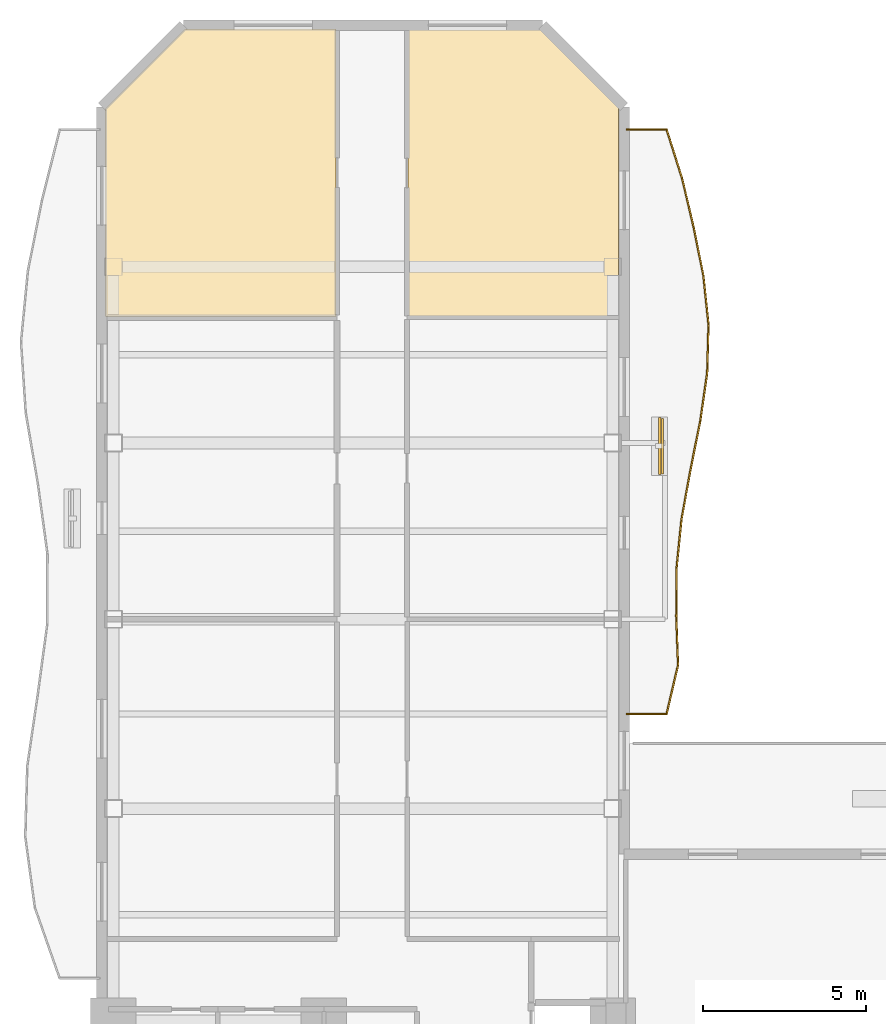
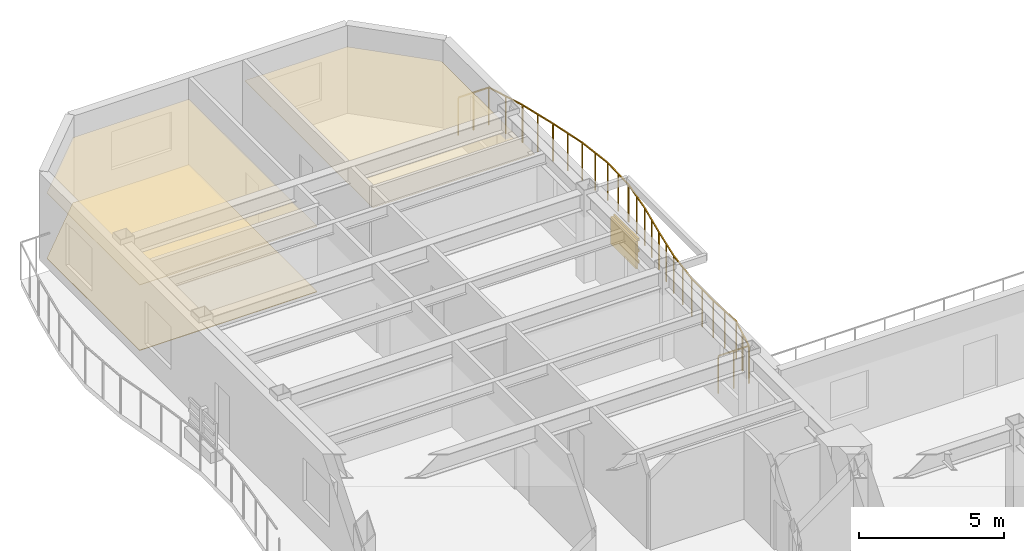
# One storey, part 10 of 10: 4 shading devices, 3 coverings, 1 railing.
"""IFC4 building model written with IfcOpenShell, lengths in metres."""

import ifcopenshell
import ifcopenshell.guid

model = None  # the IFC model being written
_history = None  # IfcOwnerHistory: only IFC2X3 demands one
_inside = {}  # id of a spatial element -> (the spatial element, [elements in it])
_under = {}  # id of a project, library or spatial element -> (it, [spatial elements below it])
_declared = {}  # id of a project -> (the project, [libraries it declares])
_typed = {}  # id of a type object -> (the type object, [elements of that type])
_made_of = {}  # id of a material, layer set ... -> (it, [elements and type objects made of it])


def new_model(schema):
    """Start an empty IFC model of exactly this schema.

    Asked for "IFC4X3", IfcOpenShell would pick the latest addendum, in which some entities
    have other attributes; the version numbers below select the first issue.
    IFC2X3 requires an IfcOwnerHistory on every rooted entity: one is made here for all.
    """
    global model, _history
    if schema == "IFC4X3":
        model = ifcopenshell.file(schema_version=(4, 3, 0, 0))
    else:
        model = ifcopenshell.file(schema=schema)
    _inside.clear()
    _under.clear()
    _declared.clear()
    _typed.clear()
    _made_of.clear()
    _history = None
    if model.schema == "IFC2X3":
        org = make("IfcOrganization", Name="unknown")
        user = make(
            "IfcPersonAndOrganization",
            ThePerson=make("IfcPerson", FamilyName="unknown"),
            TheOrganization=org,
        )
        app = make(
            "IfcApplication",
            ApplicationDeveloper=org,
            Version="unknown",
            ApplicationFullName="unknown",
            ApplicationIdentifier="unknown",
        )
        _history = make(
            "IfcOwnerHistory",
            OwningUser=user,
            OwningApplication=app,
            ChangeAction="ADDED",
            CreationDate=0,
        )
    return model


def make(cls, **values):
    """One entity of the class cls with the attributes given. An attribute that is None is left unset."""
    return model.create_entity(
        cls, **{name: value for name, value in values.items() if value is not None}
    )


def rooted(cls, **values):
    """An entity with a GlobalId (a new one), such as an element, a storey or a relation."""
    return make(cls, GlobalId=ifcopenshell.guid.new(), OwnerHistory=_history, **values)


def si_unit(unit_type, name, prefix=None):
    """IfcSIUnit, for example si_unit("LENGTHUNIT", "METRE", prefix="MILLI")."""
    return make("IfcSIUnit", UnitType=unit_type, Prefix=prefix, Name=name)


def assignment(units):
    """IfcUnitAssignment: the units of a project."""
    return None if units is None else make("IfcUnitAssignment", Units=units)


def point(xyz):
    """IfcCartesianPoint."""
    return None if xyz is None else make("IfcCartesianPoint", Coordinates=xyz)


def direction(xyz):
    """IfcDirection."""
    return None if xyz is None else make("IfcDirection", DirectionRatios=xyz)


def frame(location, z_axis=None, x_axis=None):
    """IfcAxis2Placement3D, a coordinate frame: its origin and axes. An axis left out is left unset."""
    return make(
        "IfcAxis2Placement3D",
        Location=point(location),
        Axis=direction(z_axis),
        RefDirection=direction(x_axis),
    )


def frame_2d(location, x_axis=None):
    """IfcAxis2Placement2D, a coordinate frame in the plane: its origin and x axis."""
    return make(
        "IfcAxis2Placement2D", Location=point(location), RefDirection=direction(x_axis)
    )


def origin():
    """The frame at (0, 0, 0) with its axes left unset."""
    return frame((0.0, 0.0, 0.0))


def origin_2d():
    """The frame at (0, 0) in the plane with its x axis left unset."""
    return frame_2d((0.0, 0.0))


def place(relative_to, where):
    """IfcLocalPlacement: puts the frame where relative to a parent placement (None: the world)."""
    return make(
        "IfcLocalPlacement", PlacementRelTo=relative_to, RelativePlacement=where
    )


def context(
    kind, dimensions, precision=None, world=None, true_north=None, identifier=None
):
    """IfcGeometricRepresentationContext, for example the 3D "Model" context."""
    return make(
        "IfcGeometricRepresentationContext",
        ContextIdentifier=identifier,
        ContextType=kind,
        CoordinateSpaceDimension=dimensions,
        Precision=precision,
        WorldCoordinateSystem=world,
        TrueNorth=true_north,
    )


def subcontext(parent, identifier, kind, view, scale=None):
    """IfcGeometricRepresentationSubContext, for example "Body" below "Model"."""
    return make(
        "IfcGeometricRepresentationSubContext",
        ContextIdentifier=identifier,
        ContextType=kind,
        ParentContext=parent,
        TargetScale=scale,
        TargetView=view,
    )


def project(units=None, contexts=None):
    """IfcProject with its units and contexts."""
    return rooted(
        "IfcProject",
        Name="project",
        RepresentationContexts=contexts,
        UnitsInContext=assignment(units),
    )


def spatial(cls, under=None, at=None, **own):
    """A site, building, storey or space (cls), placed at a placement, below another one or the project."""
    s = rooted(cls, ObjectPlacement=at, **own)
    if under is not None:
        _under.setdefault(under.id(), (under, []))[1].append(s)
    return s


def polyline(points):
    """IfcPolyline through the points."""
    return make("IfcPolyline", Points=[point(p) for p in points])


def profile(cls, at=None, kind="AREA", **sizes):
    """A parametric profile (cls). Its sizes go by their IFC names, for example OverallWidth=200.0."""
    return make(cls, ProfileType=kind, Position=at, **sizes)


def rectangle(**sizes):
    """IfcRectangleProfileDef."""
    return profile("IfcRectangleProfileDef", **sizes)


def outline(outer, holes=None, kind="AREA"):
    """IfcArbitraryClosedProfileDef: a profile drawn as a closed curve; with holes, ...WithVoids."""
    if holes is None:
        return make("IfcArbitraryClosedProfileDef", ProfileType=kind, OuterCurve=outer)
    return make(
        "IfcArbitraryProfileDefWithVoids",
        ProfileType=kind,
        OuterCurve=outer,
        InnerCurves=holes,
    )


def extrude(swept, where, along, depth):
    """IfcExtrudedAreaSolid: the profile swept, set in the frame where, extruded along a direction by depth."""
    return make(
        "IfcExtrudedAreaSolid",
        SweptArea=swept,
        Position=where,
        ExtrudedDirection=direction(along),
        Depth=depth,
    )


def shape(context_of_items, identifier, shape_type, items):
    """IfcShapeRepresentation: the items that make up one representation, for example the "Body"."""
    return make(
        "IfcShapeRepresentation",
        ContextOfItems=context_of_items,
        RepresentationIdentifier=identifier,
        RepresentationType=shape_type,
        Items=items,
    )


def material(Name=None, Category=None):
    """IfcMaterial."""
    return make("IfcMaterial", Name=Name, Category=Category)


def layer(
    of_material, thickness, ventilated=None, Name=None, Category=None, Priority=None
):
    """IfcMaterialLayer: one layer of a wall or slab, of a material (None: an air gap)."""
    return make(
        "IfcMaterialLayer",
        Material=of_material,
        LayerThickness=thickness,
        IsVentilated=ventilated,
        Name=Name,
        Category=Category,
        Priority=Priority,
    )


def layer_set(layers, Name=None):
    """IfcMaterialLayerSet."""
    return make("IfcMaterialLayerSet", MaterialLayers=layers, LayerSetName=Name)


def material_profile(
    of_material, cross_section, Name=None, Category=None, Priority=None
):
    """IfcMaterialProfile: a cross section and its material."""
    return make(
        "IfcMaterialProfile",
        Name=Name,
        Material=of_material,
        Profile=cross_section,
        Priority=Priority,
        Category=Category,
    )


def profile_set(profiles, Name=None, composite=None):
    """IfcMaterialProfileSet."""
    return make(
        "IfcMaterialProfileSet",
        Name=Name,
        MaterialProfiles=profiles,
        CompositeProfile=composite,
    )


def made_of(thing, what):
    """Note that an element or type object is made of a material, layer set ...; save() writes the relation."""
    if what is not None:
        _made_of.setdefault(what.id(), (what, []))[1].append(thing)
    return thing


def type_object(cls, material=None, **own):
    """A type object (cls), such as IfcWallType, which elements share."""
    return made_of(rooted(cls, **own), material)


def element(
    cls,
    number,
    at=None,
    inside=None,
    cuts=None,
    type_object=None,
    material=None,
    context=None,
    identifier="Body",
    shape_type=None,
    held_by="IfcProductDefinitionShape",
    body=None,
    shapes=None,
    **own,
):
    """One element of the class cls, such as IfcWall. Its Tag is "e" and its number.

    at: its placement. inside: the storey or other place that contains it. cuts: it is an
    opening in that element (IfcRelVoidsElement). A single representation is given by context,
    identifier, shape_type and body (its items); several are given by shapes. held_by: the class
    of the entity that holds the representations. save() writes the other relations.
    """
    e = rooted(cls, Tag="e%d" % number, ObjectPlacement=at, **own)
    if body is not None:
        shapes = [shape(context, identifier, shape_type, body)]
    if shapes is not None:
        e.Representation = make(held_by, Representations=shapes)
    if inside is not None:
        _inside.setdefault(inside.id(), (inside, []))[1].append(e)
    if cuts is not None:
        rooted(
            "IfcRelVoidsElement", RelatingBuildingElement=cuts, RelatedOpeningElement=e
        )
    if type_object is not None:
        _typed.setdefault(type_object.id(), (type_object, []))[1].append(e)
    return made_of(e, material)


def aggregate(whole, parts):
    """IfcRelAggregates: a whole, such as a stair, and the parts it consists of."""
    return rooted("IfcRelAggregates", RelatingObject=whole, RelatedObjects=parts)


def save(model, path):
    """Write the relations noted so far, then the file.

    IfcRelAggregates (storeys below a building ...), IfcRelContainedInSpatialStructure (elements
    in a storey), IfcRelDefinesByType, IfcRelAssociatesMaterial and IfcRelDeclares: one each for
    every whole, place, type object, material and project.
    """
    for whole, parts in _under.values():
        aggregate(whole, parts)
    for where, things in _inside.values():
        rooted(
            "IfcRelContainedInSpatialStructure",
            RelatedElements=things,
            RelatingStructure=where,
        )
    for kind, things in _typed.values():
        rooted("IfcRelDefinesByType", RelatedObjects=things, RelatingType=kind)
    for what, things in _made_of.values():
        rooted("IfcRelAssociatesMaterial", RelatedObjects=things, RelatingMaterial=what)
    for by, libraries in _declared.values():
        rooted("IfcRelDeclares", RelatingContext=by, RelatedDefinitions=libraries)
    model.write(path)


model = new_model("IFC4")

# Units and contexts
model_context = context("Model", 3, precision=1e-05, world=origin(), true_north=direction((0.0, 1.0)))
body_context = subcontext(model_context, "Body", "Model", "MODEL_VIEW")
ifc_project = project(units=[si_unit("LENGTHUNIT", "METRE"), si_unit("AREAUNIT", "SQUARE_METRE"), si_unit("VOLUMEUNIT", "CUBIC_METRE"), si_unit("PLANEANGLEUNIT", "RADIAN"), si_unit("MASSUNIT", "GRAM", prefix="KILO")], contexts=[model_context])

# Site, building, storey
site_placement = place(None, origin())
site = spatial("IfcSite", under=ifc_project, at=site_placement, CompositionType="ELEMENT")
building_placement = place(site_placement, origin())
building = spatial("IfcBuilding", under=site, at=building_placement, Name="Mawjaban Terraces University", CompositionType="ELEMENT")
storey_placement = place(building_placement, frame((0.0, 0.0, 31.0)))
storey = spatial("IfcBuildingStorey", under=building, at=storey_placement, Name="L06", CompositionType="ELEMENT", Elevation=31.0)

# Coverings
ifc_material_1 = material(Name="Acoustic mineral fibre ceiling tile", Category="masonry")
ifc_layer_1 = layer(ifc_material_1, 0.02001953125)
ifc_layer_set_1 = layer_set([ifc_layer_1], Name="Acoustic mineral fibre ceiling tile")
covering_type_1 = type_object("IfcCoveringType", Name="AcousticMineralCeiling_20", PredefinedType="CEILING", material=ifc_layer_set_1)
covering_1_placement = place(storey_placement, frame((0.0, 0.0, 2.75)))
element("IfcCovering", 1, at=covering_1_placement, inside=storey, type_object=covering_type_1, Name="L06 Quiet Reading Room 12 Acoustic Ceiling", PredefinedType="CEILING", context=body_context, shape_type="SweptSolid", body=[
    extrude(outline(polyline([(29.169921875, 53.885009765625), (24.547119140625, 53.885009765625), (22.114990234375, 51.452880859375), (22.114990234375, 45.070068359375), (29.169921875, 45.070068359375), (29.169921875, 53.885009765625)])), origin(), (0.0, 0.0, 1.0), 0.02001953125),
])
covering_2_placement = place(storey_placement, frame((0.0, 0.0, 2.75)))
element("IfcCovering", 2, at=covering_2_placement, inside=storey, type_object=covering_type_1, Name="L06 Collaborative Study Room 13 Acoustic Ceiling", PredefinedType="CEILING", context=body_context, shape_type="SweptSolid", body=[
    extrude(outline(polyline([(37.820068359375, 51.51806640625), (35.452880859375, 53.885009765625), (31.3798828125, 53.885009765625), (31.3798828125, 45.070068359375), (37.820068359375, 45.070068359375), (37.820068359375, 51.51806640625)])), origin(), (0.0, 0.0, 1.0), 0.02001953125),
])

# Railing
ifc_material_2 = material(Name="Galvanised powder-coated steel S355", Category="steel")
railing_type = type_object("IfcRailingType", Name="BalconyBalustrade_1600", PredefinedType="BALUSTRADE", material=ifc_material_2)
railing_placement = place(storey_placement, frame((38.080078125, 32.89990234375, 0.0)))
element("IfcRailing", 3, at=railing_placement, inside=storey, type_object=railing_type, Name="L06 Balcony Guardrail inner_east", PredefinedType="BALUSTRADE", context=body_context, shape_type="SweptSolid", body=[
    extrude(rectangle(XDim=0.048095703125, YDim=0.048095703125, at=origin_2d()), frame((0.0, 0.0, 1.576171875), z_axis=(1.0, 0.0, 0.0), x_axis=(0.0, 1.0, 0.0)), (0.0, 0.0, 1.0), 1.219970703125),
    extrude(rectangle(XDim=0.048095703125, YDim=0.048095703125, at=origin_2d()), frame((1.219970703125, 0.0, 1.576171875), z_axis=(0.228870660989, 0.973456840614, 0.0), x_axis=(-0.973456840614, 0.228870660989, 0.0)), (0.0, 0.0, 1.0), 1.532958984375),
    extrude(rectangle(XDim=0.048095703125, YDim=0.048095703125, at=origin_2d()), frame((1.57080078125, 1.4921875, 1.576171875), z_axis=(-0.036817987115, 0.999321988062, 0.0), x_axis=(-0.999321988062, -0.036817987115, 0.0)), (0.0, 0.0, 1.0), 1.491943359375),
    extrude(rectangle(XDim=0.048095703125, YDim=0.048095703125, at=origin_2d()), frame((1.515869140625, 2.983154296875, 1.576171875), z_axis=(0.007363570608, 0.999972888546, 0.0), x_axis=(-0.999972888546, 0.007363570608, 0.0)), (0.0, 0.0, 1.0), 1.491943359375),
    extrude(rectangle(XDim=0.048095703125, YDim=0.048095703125, at=origin_2d()), frame((1.52685546875, 4.47509765625, 1.576171875), z_axis=(0.100132398109, 0.994974121698, 0.0), x_axis=(-0.994974121698, 0.100132398109, 0.0)), (0.0, 0.0, 1.0), 1.49951171875),
    extrude(rectangle(XDim=0.048095703125, YDim=0.048095703125, at=origin_2d()), frame((1.677001953125, 5.967041015625, 1.576171875), z_axis=(0.178828728252, 0.983880219311, 0.0), x_axis=(-0.983880219311, 0.178828728252, 0.0)), (0.0, 0.0, 1.0), 1.515380859375),
    extrude(rectangle(XDim=0.048095703125, YDim=0.048095703125, at=origin_2d()), frame((1.947998046875, 7.4580078125, 1.576171875), z_axis=(0.196979789027, 0.980407549295, 0.0), x_axis=(-0.980407549295, 0.196979789027, 0.0)), (0.0, 0.0, 1.0), 1.52197265625),
    extrude(rectangle(XDim=0.048095703125, YDim=0.048095703125, at=origin_2d()), frame((2.247802734375, 8.9501953125, 1.576171875), z_axis=(0.142691044423, 0.989767278627, 0.0), x_axis=(-0.989767278627, 0.142691044423, 0.0)), (0.0, 0.0, 1.0), 1.50732421875),
    extrude(rectangle(XDim=0.048095703125, YDim=0.048095703125, at=origin_2d()), frame((2.462890625, 10.442138671875, 1.576171875), z_axis=(0.027499012207, 0.999621830658, 0.0), x_axis=(-0.999621830658, 0.027499012207, 0.0)), (0.0, 0.0, 1.0), 1.491455078125),
    extrude(rectangle(XDim=0.048095703125, YDim=0.048095703125, at=origin_2d()), frame((2.50390625, 11.93310546875, 1.576171875), z_axis=(-0.104642427191, 0.994509910675, 0.0), x_axis=(-0.994509910675, -0.104642427191, 0.0)), (0.0, 0.0, 1.0), 1.500244140625),
    extrude(rectangle(XDim=0.048095703125, YDim=0.048095703125, at=origin_2d()), frame((2.346923828125, 13.425048828125, 1.576171875), z_axis=(-0.19778161535, 0.980246108194, 0.0), x_axis=(-0.980246108194, -0.19778161535, 0.0)), (0.0, 0.0, 1.0), 1.52197265625),
    extrude(rectangle(XDim=0.048095703125, YDim=0.048095703125, at=origin_2d()), frame((2.0458984375, 14.9169921875, 1.576171875), z_axis=(-0.22916368708, 0.973387900338, 0.0), x_axis=(-0.973387900338, -0.22916368708, 0.0)), (0.0, 0.0, 1.0), 1.531982421875),
    extrude(rectangle(XDim=0.048095703125, YDim=0.048095703125, at=origin_2d()), frame((1.69482421875, 16.408203125, 1.576171875), z_axis=(-0.303287326823, 0.95289915384, 0.0), x_axis=(-0.95289915384, -0.303287326823, 0.0)), (0.0, 0.0, 1.0), 1.565673828125),
    extrude(rectangle(XDim=0.048095703125, YDim=0.048095703125, at=origin_2d()), frame((1.219970703125, 17.900146484375, 1.576171875), z_axis=(-1.0, 0.0, 0.0), x_axis=(0.0, -1.0, 0.0)), (0.0, 0.0, 1.0), 1.219970703125),
    extrude(rectangle(XDim=0.0419921875, YDim=0.0419921875, at=origin_2d()), origin(), (0.0, 0.0, 1.0), 1.552001953125),
    extrude(rectangle(XDim=0.0419921875, YDim=0.0419921875, at=origin_2d()), frame((0.60986328125, 0.0, 0.0)), (0.0, 0.0, 1.0), 1.552001953125),
    extrude(rectangle(XDim=0.0419921875, YDim=0.0419921875, at=origin_2d()), frame((1.219970703125, 0.0, 0.0)), (0.0, 0.0, 1.0), 1.552001953125),
    extrude(rectangle(XDim=0.0419921875, YDim=0.0419921875, at=origin_2d()), frame((1.3955078125, 0.74609375, 0.0)), (0.0, 0.0, 1.0), 1.552001953125),
    extrude(rectangle(XDim=0.0419921875, YDim=0.0419921875, at=origin_2d()), frame((1.57080078125, 1.4921875, 0.0)), (0.0, 0.0, 1.0), 1.552001953125),
    extrude(rectangle(XDim=0.0419921875, YDim=0.0419921875, at=origin_2d()), frame((1.54345703125, 2.23779296875, 0.0)), (0.0, 0.0, 1.0), 1.552001953125),
    extrude(rectangle(XDim=0.0419921875, YDim=0.0419921875, at=origin_2d()), frame((1.515869140625, 2.983154296875, 0.0)), (0.0, 0.0, 1.0), 1.552001953125),
    extrude(rectangle(XDim=0.0419921875, YDim=0.0419921875, at=origin_2d()), frame((1.521484375, 3.72900390625, 0.0)), (0.0, 0.0, 1.0), 1.552001953125),
    extrude(rectangle(XDim=0.0419921875, YDim=0.0419921875, at=origin_2d()), frame((1.52685546875, 4.47509765625, 0.0)), (0.0, 0.0, 1.0), 1.552001953125),
    extrude(rectangle(XDim=0.0419921875, YDim=0.0419921875, at=origin_2d()), frame((1.60205078125, 5.22119140625, 0.0)), (0.0, 0.0, 1.0), 1.552001953125),
    extrude(rectangle(XDim=0.0419921875, YDim=0.0419921875, at=origin_2d()), frame((1.677001953125, 5.967041015625, 0.0)), (0.0, 0.0, 1.0), 1.552001953125),
    extrude(rectangle(XDim=0.0419921875, YDim=0.0419921875, at=origin_2d()), frame((1.8125, 6.71240234375, 0.0)), (0.0, 0.0, 1.0), 1.552001953125),
    extrude(rectangle(XDim=0.0419921875, YDim=0.0419921875, at=origin_2d()), frame((1.947998046875, 7.4580078125, 0.0)), (0.0, 0.0, 1.0), 1.552001953125),
    extrude(rectangle(XDim=0.0419921875, YDim=0.0419921875, at=origin_2d()), frame((2.097900390625, 8.2041015625, 0.0)), (0.0, 0.0, 1.0), 1.552001953125),
    extrude(rectangle(XDim=0.0419921875, YDim=0.0419921875, at=origin_2d()), frame((2.247802734375, 8.9501953125, 0.0)), (0.0, 0.0, 1.0), 1.552001953125),
    extrude(rectangle(XDim=0.0419921875, YDim=0.0419921875, at=origin_2d()), frame((2.35546875, 9.6962890625, 0.0)), (0.0, 0.0, 1.0), 1.552001953125),
    extrude(rectangle(XDim=0.0419921875, YDim=0.0419921875, at=origin_2d()), frame((2.462890625, 10.442138671875, 0.0)), (0.0, 0.0, 1.0), 1.552001953125),
    extrude(rectangle(XDim=0.0419921875, YDim=0.0419921875, at=origin_2d()), frame((2.4833984375, 11.1875, 0.0)), (0.0, 0.0, 1.0), 1.552001953125),
    extrude(rectangle(XDim=0.0419921875, YDim=0.0419921875, at=origin_2d()), frame((2.50390625, 11.93310546875, 0.0)), (0.0, 0.0, 1.0), 1.552001953125),
    extrude(rectangle(XDim=0.0419921875, YDim=0.0419921875, at=origin_2d()), frame((2.42529296875, 12.67919921875, 0.0)), (0.0, 0.0, 1.0), 1.552001953125),
    extrude(rectangle(XDim=0.0419921875, YDim=0.0419921875, at=origin_2d()), frame((2.346923828125, 13.425048828125, 0.0)), (0.0, 0.0, 1.0), 1.552001953125),
    extrude(rectangle(XDim=0.0419921875, YDim=0.0419921875, at=origin_2d()), frame((2.1962890625, 14.1708984375, 0.0)), (0.0, 0.0, 1.0), 1.552001953125),
    extrude(rectangle(XDim=0.0419921875, YDim=0.0419921875, at=origin_2d()), frame((2.0458984375, 14.9169921875, 0.0)), (0.0, 0.0, 1.0), 1.552001953125),
    extrude(rectangle(XDim=0.0419921875, YDim=0.0419921875, at=origin_2d()), frame((1.870361328125, 15.66259765625, 0.0)), (0.0, 0.0, 1.0), 1.552001953125),
    extrude(rectangle(XDim=0.0419921875, YDim=0.0419921875, at=origin_2d()), frame((1.69482421875, 16.408203125, 0.0)), (0.0, 0.0, 1.0), 1.552001953125),
    extrude(rectangle(XDim=0.0419921875, YDim=0.0419921875, at=origin_2d()), frame((1.45751953125, 17.154296875, 0.0)), (0.0, 0.0, 1.0), 1.552001953125),
    extrude(rectangle(XDim=0.0419921875, YDim=0.0419921875, at=origin_2d()), frame((1.219970703125, 17.900146484375, 0.0)), (0.0, 0.0, 1.0), 1.552001953125),
    extrude(rectangle(XDim=0.0419921875, YDim=0.0419921875, at=origin_2d()), frame((0.60986328125, 17.900146484375, 0.0)), (0.0, 0.0, 1.0), 1.552001953125),
    extrude(rectangle(XDim=0.0419921875, YDim=0.0419921875, at=origin_2d()), frame((0.0, 17.900146484375, 0.0)), (0.0, 0.0, 1.0), 1.552001953125),
])

# Shading devices
ifc_material_3 = material(Name="Glazed architectural terracotta ceramic", Category="masonry")
ifc_material_profile = material_profile(ifc_material_3, rectangle(XDim=0.06494140625, YDim=0.110107421875, at=origin_2d()), Name="TBAG110X65")
ifc_profile_set = profile_set([ifc_material_profile], Name="Glazed architectural terracotta ceramic")
shading_device_type_1 = type_object("IfcShadingDeviceType", Name="TerracottaBaguette_110x65", PredefinedType="USERDEFINED", material=ifc_profile_set)
for number, where, z_axis, x_axis, name in (
    (4, (39.1689453125, 40.25390625, 0.679931640625), (0.0, 1.0, 0.0), (-1.0, 0.0, 0.0), "L06 Horizontal Terracotta Baguette inner_east.1"),
    (5, (39.1689453125, 40.25390625, 1.14990234375), (0.0, 1.0, 0.0), (-1.0, 0.0, 0.0), "L06 Horizontal Terracotta Baguette inner_east.2"),
    (6, (39.1689453125, 40.25390625, 1.6201171875), (0.0, 1.0, 0.0), (-1.0, 0.0, 0.0), "L06 Horizontal Terracotta Baguette inner_east.3"),
):
    element("IfcShadingDevice", number, at=place(storey_placement, frame(where, z_axis=z_axis, x_axis=x_axis)), inside=storey, type_object=shading_device_type_1, Name=name, ObjectType="BAGUETTE", PredefinedType="USERDEFINED", context=body_context, shape_type="SweptSolid", body=[
        extrude(rectangle(XDim=0.06494140625, YDim=0.110107421875, at=origin_2d()), origin(), (0.0, 0.0, 1.0), 1.7001953125),
    ])
ifc_layer_2 = layer(ifc_material_3, 0.080078125)
ifc_layer_set_2 = layer_set([ifc_layer_2], Name="Glazed architectural terracotta ceramic")
shading_device_type_2 = type_object("IfcShadingDeviceType", Name="TerracottaScreen_Perforated", PredefinedType="USERDEFINED", material=ifc_layer_set_2)
shading_device_placement = place(storey_placement, frame((39.083984375, 41.10400390625, 0.43994140625), z_axis=(0.0, 0.0, 1.0), x_axis=(0.0, 1.0, 0.0)))
element("IfcShadingDevice", 7, at=shading_device_placement, inside=storey, type_object=shading_device_type_2, Name="L06 Balcony Perforated Terracotta Screen inner_east", ObjectType="SCREEN", PredefinedType="USERDEFINED", context=body_context, shape_type="SweptSolid", body=[
    extrude(rectangle(XDim=1.75, YDim=0.080078125, at=origin_2d()), origin(), (0.0, 0.0, 1.0), 1.14990234375),
])

# Covering
ifc_material_4 = material(Name="Polished Hijazi granite terrazzo flooring", Category="masonry")
ifc_layer_3 = layer(ifc_material_4, 0.02490234375)
ifc_layer_set_3 = layer_set([ifc_layer_3], Name="Polished Hijazi granite terrazzo flooring")
covering_type_2 = type_object("IfcCoveringType", Name="TerrazzoConcourseFlooring_25", PredefinedType="FLOORING", material=ifc_layer_set_3)
covering_3_placement = place(storey_placement, origin())
element("IfcCovering", 8, at=covering_3_placement, inside=storey, type_object=covering_type_2, Name="L06 Quiet Reading Room 12 Terrazzo Flooring", PredefinedType="FLOORING", context=body_context, shape_type="SweptSolid", body=[
    extrude(outline(polyline([(29.169921875, 53.885009765625), (24.547119140625, 53.885009765625), (22.114990234375, 51.452880859375), (22.114990234375, 45.070068359375), (29.169921875, 45.070068359375), (29.169921875, 53.885009765625)])), origin(), (0.0, 0.0, 1.0), 0.02490234375),
])

save(model, "model.ifc")
